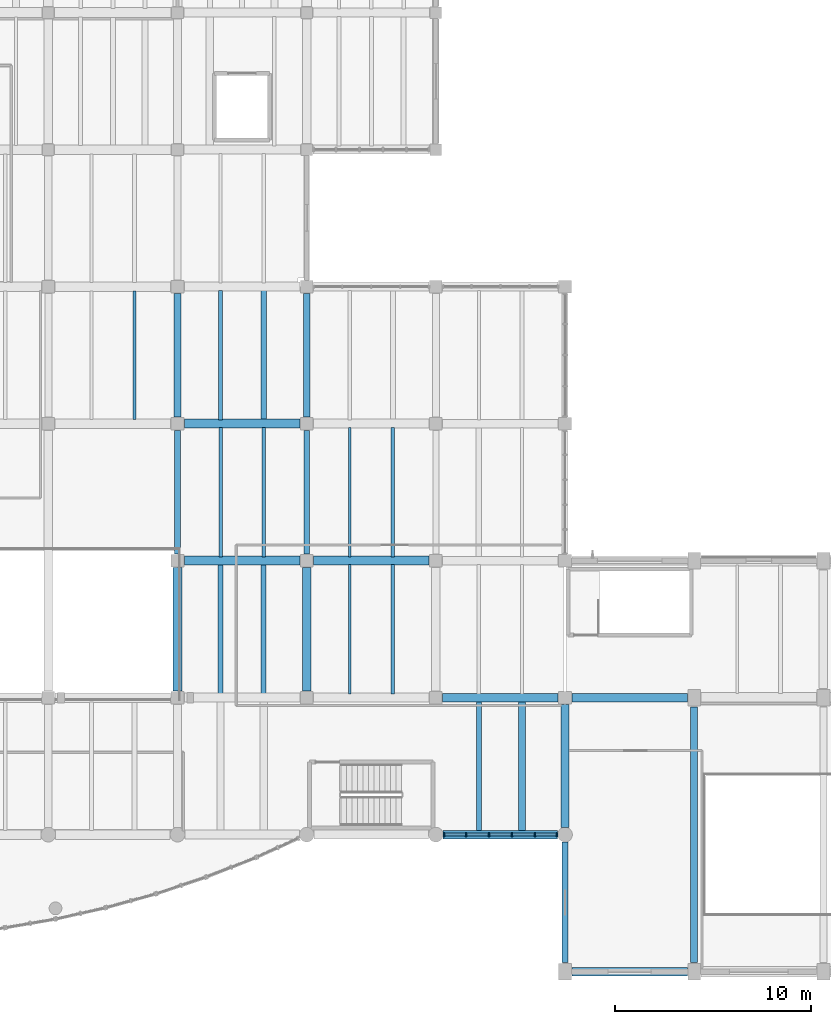
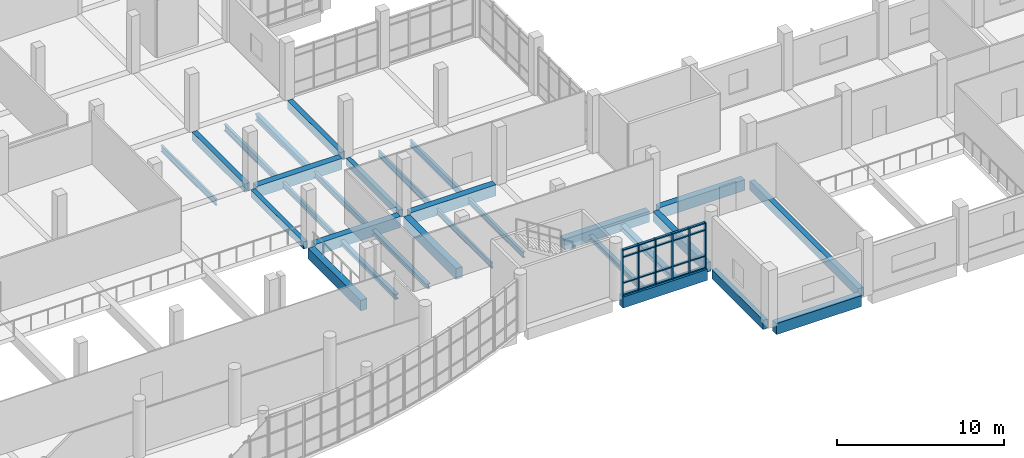
# One storey, part 15 of 68: 29 beams, 26 members, 1 element without a shape of its own.
"""IFC4 building model written with IfcOpenShell, lengths in metres."""

from ifc_helpers import new_model, si_unit, direction, frame, origin, origin_2d, place, context, subcontext, project, spatial, rectangle, i_section, extrude, material, material_profile, profile_set, type_object, element, aggregate, save


model = new_model("IFC4")

# Units and contexts
model_context = context("Model", 3, precision=1e-05, world=origin(), true_north=direction((0.0, 1.0)))
body_context = subcontext(model_context, "Body", "Model", "MODEL_VIEW")
ifc_project = project(units=[si_unit("LENGTHUNIT", "METRE"), si_unit("AREAUNIT", "SQUARE_METRE"), si_unit("VOLUMEUNIT", "CUBIC_METRE"), si_unit("PLANEANGLEUNIT", "RADIAN"), si_unit("MASSUNIT", "GRAM", prefix="KILO")], contexts=[model_context])

# Site, building, storey
site_placement = place(None, origin())
site = spatial("IfcSite", under=ifc_project, at=site_placement, CompositionType="ELEMENT")
building_placement = place(site_placement, origin())
building = spatial("IfcBuilding", under=site, at=building_placement, Name="Ciguamira Faculty of Natural Sciences", CompositionType="ELEMENT")
storey_placement = place(building_placement, frame((0.0, 0.0, 4.199951171875)))
storey = spatial("IfcBuildingStorey", under=building, at=storey_placement, Name="L01", CompositionType="ELEMENT", Elevation=4.199951171875)

# Curtain wall, members
ifc_material_1 = material(Name="Anodized aluminium curtain wall", Category="aluminium")
curtain_wall_type = type_object("IfcCurtainWallType", Name="CurtainWall_CW-03", PredefinedType="USERDEFINED", material=ifc_material_1)
curtain_wall_placement = place(storey_placement, origin())
curtain_wall = element("IfcCurtainWall", 1, at=curtain_wall_placement, inside=storey, type_object=curtain_wall_type, Name="L01 unitised curtain wall 0027", ObjectType="UNITISED CURTAIN WALL", PredefinedType="USERDEFINED")
ifc_material_2 = material(Name="Anodized aluminium mullion", Category="aluminium")
ifc_material_profile_1 = material_profile(ifc_material_2, rectangle(XDim=0.080078125, YDim=0.219970703125, at=origin_2d()), Name="ALU-MUL-80X220")
ifc_profile_set_1 = profile_set([ifc_material_profile_1], Name="Anodized aluminium mullion")
member_type_1 = type_object("IfcMemberType", Name="CWMullion_CWM-03", PredefinedType="MULLION", material=ifc_profile_set_1)
member_1_placement = place(storey_placement, frame((117.114990234375, 10.0, 0.0), z_axis=(0.0, 0.0, 1.0), x_axis=(1.0, 0.0, 0.0)))
member_1 = element("IfcMember", 2, at=member_1_placement, type_object=member_type_1, Name="CW-03 mullion 1", PredefinedType="MULLION", context=body_context, shape_type="SweptSolid", body=[
    extrude(rectangle(XDim=0.080078125, YDim=0.219970703125, at=origin_2d()), origin(), (0.0, 0.0, 1.0), 3.344970703125),
])
member_2_placement = place(storey_placement, frame((118.2451171875, 10.0, 0.0), z_axis=(0.0, 0.0, 1.0), x_axis=(1.0, 0.0, 0.0)))
member_2 = element("IfcMember", 3, at=member_2_placement, type_object=member_type_1, Name="CW-03 mullion 2", PredefinedType="MULLION", context=body_context, shape_type="SweptSolid", body=[
    extrude(rectangle(XDim=0.080078125, YDim=0.219970703125, at=origin_2d()), origin(), (0.0, 0.0, 1.0), 3.344970703125),
])
member_3_placement = place(storey_placement, frame((119.4150390625, 10.0, 0.0), z_axis=(0.0, 0.0, 1.0), x_axis=(1.0, 0.0, 0.0)))
member_3 = element("IfcMember", 4, at=member_3_placement, type_object=member_type_1, Name="CW-03 mullion 3", PredefinedType="MULLION", context=body_context, shape_type="SweptSolid", body=[
    extrude(rectangle(XDim=0.080078125, YDim=0.219970703125, at=origin_2d()), origin(), (0.0, 0.0, 1.0), 3.344970703125),
])
member_4_placement = place(storey_placement, frame((120.5849609375, 10.0, 0.0), z_axis=(0.0, 0.0, 1.0), x_axis=(1.0, 0.0, 0.0)))
member_4 = element("IfcMember", 5, at=member_4_placement, type_object=member_type_1, Name="CW-03 mullion 4", PredefinedType="MULLION", context=body_context, shape_type="SweptSolid", body=[
    extrude(rectangle(XDim=0.080078125, YDim=0.219970703125, at=origin_2d()), origin(), (0.0, 0.0, 1.0), 3.344970703125),
])
member_5_placement = place(storey_placement, frame((121.7548828125, 10.0, 0.0), z_axis=(0.0, 0.0, 1.0), x_axis=(1.0, 0.0, 0.0)))
member_5 = element("IfcMember", 6, at=member_5_placement, type_object=member_type_1, Name="CW-03 mullion 5", PredefinedType="MULLION", context=body_context, shape_type="SweptSolid", body=[
    extrude(rectangle(XDim=0.080078125, YDim=0.219970703125, at=origin_2d()), origin(), (0.0, 0.0, 1.0), 3.344970703125),
])
member_6_placement = place(storey_placement, frame((122.885009765625, 10.0, 0.0), z_axis=(0.0, 0.0, 1.0), x_axis=(1.0, 0.0, 0.0)))
member_6 = element("IfcMember", 7, at=member_6_placement, type_object=member_type_1, Name="CW-03 mullion 6", PredefinedType="MULLION", context=body_context, shape_type="SweptSolid", body=[
    extrude(rectangle(XDim=0.080078125, YDim=0.219970703125, at=origin_2d()), origin(), (0.0, 0.0, 1.0), 3.344970703125),
])
ifc_material_3 = material(Name="Anodized aluminium transom", Category="aluminium")
ifc_material_profile_2 = material_profile(ifc_material_3, rectangle(XDim=0.080078125, YDim=0.159912109375, at=origin_2d()), Name="ALU-TRN-80X160")
ifc_profile_set_2 = profile_set([ifc_material_profile_2], Name="Anodized aluminium transom")
member_type_2 = type_object("IfcMemberType", Name="CWTransom_CWT-03", PredefinedType="USERDEFINED", material=ifc_profile_set_2)
member_7_placement = place(storey_placement, frame((117.155029296875, 10.0, 0.0400390625), z_axis=(1.0, 0.0, 0.0), x_axis=(0.0, 0.0, 1.0)))
member_7 = element("IfcMember", 8, at=member_7_placement, type_object=member_type_2, Name="CW-03 transom 1.1", ObjectType="TRANSOM", PredefinedType="USERDEFINED", context=body_context, shape_type="SweptSolid", body=[
    extrude(rectangle(XDim=0.080078125, YDim=0.159912109375, at=origin_2d()), origin(), (0.0, 0.0, 1.0), 1.050048828125),
])
member_8_placement = place(storey_placement, frame((117.155029296875, 10.0, 0.900146484375), z_axis=(1.0, 0.0, 0.0), x_axis=(0.0, 0.0, 1.0)))
member_8 = element("IfcMember", 9, at=member_8_placement, type_object=member_type_2, Name="CW-03 transom 1.2", ObjectType="TRANSOM", PredefinedType="USERDEFINED", context=body_context, shape_type="SweptSolid", body=[
    extrude(rectangle(XDim=0.080078125, YDim=0.159912109375, at=origin_2d()), origin(), (0.0, 0.0, 1.0), 1.050048828125),
])
member_9_placement = place(storey_placement, frame((117.155029296875, 10.0, 2.795166015625), z_axis=(1.0, 0.0, 0.0), x_axis=(0.0, 0.0, 1.0)))
member_9 = element("IfcMember", 10, at=member_9_placement, type_object=member_type_2, Name="CW-03 transom 1.3", ObjectType="TRANSOM", PredefinedType="USERDEFINED", context=body_context, shape_type="SweptSolid", body=[
    extrude(rectangle(XDim=0.080078125, YDim=0.159912109375, at=origin_2d()), origin(), (0.0, 0.0, 1.0), 1.050048828125),
])
member_10_placement = place(storey_placement, frame((117.155029296875, 10.0, 3.304931640625), z_axis=(1.0, 0.0, 0.0), x_axis=(0.0, 0.0, 1.0)))
member_10 = element("IfcMember", 11, at=member_10_placement, type_object=member_type_2, Name="CW-03 transom 1.4", ObjectType="TRANSOM", PredefinedType="USERDEFINED", context=body_context, shape_type="SweptSolid", body=[
    extrude(rectangle(XDim=0.080078125, YDim=0.159912109375, at=origin_2d()), origin(), (0.0, 0.0, 1.0), 1.050048828125),
])
member_11_placement = place(storey_placement, frame((118.284912109375, 10.0, 0.0400390625), z_axis=(1.0, 0.0, 0.0), x_axis=(0.0, 0.0, 1.0)))
member_11 = element("IfcMember", 12, at=member_11_placement, type_object=member_type_2, Name="CW-03 transom 2.1", ObjectType="TRANSOM", PredefinedType="USERDEFINED", context=body_context, shape_type="SweptSolid", body=[
    extrude(rectangle(XDim=0.080078125, YDim=0.159912109375, at=origin_2d()), origin(), (0.0, 0.0, 1.0), 1.090087890625),
])
member_12_placement = place(storey_placement, frame((118.284912109375, 10.0, 0.900146484375), z_axis=(1.0, 0.0, 0.0), x_axis=(0.0, 0.0, 1.0)))
member_12 = element("IfcMember", 13, at=member_12_placement, type_object=member_type_2, Name="CW-03 transom 2.2", ObjectType="TRANSOM", PredefinedType="USERDEFINED", context=body_context, shape_type="SweptSolid", body=[
    extrude(rectangle(XDim=0.080078125, YDim=0.159912109375, at=origin_2d()), origin(), (0.0, 0.0, 1.0), 1.090087890625),
])
member_13_placement = place(storey_placement, frame((118.284912109375, 10.0, 2.795166015625), z_axis=(1.0, 0.0, 0.0), x_axis=(0.0, 0.0, 1.0)))
member_13 = element("IfcMember", 14, at=member_13_placement, type_object=member_type_2, Name="CW-03 transom 2.3", ObjectType="TRANSOM", PredefinedType="USERDEFINED", context=body_context, shape_type="SweptSolid", body=[
    extrude(rectangle(XDim=0.080078125, YDim=0.159912109375, at=origin_2d()), origin(), (0.0, 0.0, 1.0), 1.090087890625),
])
member_14_placement = place(storey_placement, frame((118.284912109375, 10.0, 3.304931640625), z_axis=(1.0, 0.0, 0.0), x_axis=(0.0, 0.0, 1.0)))
member_14 = element("IfcMember", 15, at=member_14_placement, type_object=member_type_2, Name="CW-03 transom 2.4", ObjectType="TRANSOM", PredefinedType="USERDEFINED", context=body_context, shape_type="SweptSolid", body=[
    extrude(rectangle(XDim=0.080078125, YDim=0.159912109375, at=origin_2d()), origin(), (0.0, 0.0, 1.0), 1.090087890625),
])
member_15_placement = place(storey_placement, frame((119.455078125, 10.0, 0.0400390625), z_axis=(1.0, 0.0, 0.0), x_axis=(0.0, 0.0, 1.0)))
member_15 = element("IfcMember", 16, at=member_15_placement, type_object=member_type_2, Name="CW-03 transom 3.1", ObjectType="TRANSOM", PredefinedType="USERDEFINED", context=body_context, shape_type="SweptSolid", body=[
    extrude(rectangle(XDim=0.080078125, YDim=0.159912109375, at=origin_2d()), origin(), (0.0, 0.0, 1.0), 1.08984375),
])
member_16_placement = place(storey_placement, frame((119.455078125, 10.0, 0.900146484375), z_axis=(1.0, 0.0, 0.0), x_axis=(0.0, 0.0, 1.0)))
member_16 = element("IfcMember", 17, at=member_16_placement, type_object=member_type_2, Name="CW-03 transom 3.2", ObjectType="TRANSOM", PredefinedType="USERDEFINED", context=body_context, shape_type="SweptSolid", body=[
    extrude(rectangle(XDim=0.080078125, YDim=0.159912109375, at=origin_2d()), origin(), (0.0, 0.0, 1.0), 1.08984375),
])
member_17_placement = place(storey_placement, frame((119.455078125, 10.0, 2.795166015625), z_axis=(1.0, 0.0, 0.0), x_axis=(0.0, 0.0, 1.0)))
member_17 = element("IfcMember", 18, at=member_17_placement, type_object=member_type_2, Name="CW-03 transom 3.3", ObjectType="TRANSOM", PredefinedType="USERDEFINED", context=body_context, shape_type="SweptSolid", body=[
    extrude(rectangle(XDim=0.080078125, YDim=0.159912109375, at=origin_2d()), origin(), (0.0, 0.0, 1.0), 1.08984375),
])
member_18_placement = place(storey_placement, frame((119.455078125, 10.0, 3.304931640625), z_axis=(1.0, 0.0, 0.0), x_axis=(0.0, 0.0, 1.0)))
member_18 = element("IfcMember", 19, at=member_18_placement, type_object=member_type_2, Name="CW-03 transom 3.4", ObjectType="TRANSOM", PredefinedType="USERDEFINED", context=body_context, shape_type="SweptSolid", body=[
    extrude(rectangle(XDim=0.080078125, YDim=0.159912109375, at=origin_2d()), origin(), (0.0, 0.0, 1.0), 1.08984375),
])
member_19_placement = place(storey_placement, frame((120.625, 10.0, 0.0400390625), z_axis=(1.0, 0.0, 0.0), x_axis=(0.0, 0.0, 1.0)))
member_19 = element("IfcMember", 20, at=member_19_placement, type_object=member_type_2, Name="CW-03 transom 4.1", ObjectType="TRANSOM", PredefinedType="USERDEFINED", context=body_context, shape_type="SweptSolid", body=[
    extrude(rectangle(XDim=0.080078125, YDim=0.159912109375, at=origin_2d()), origin(), (0.0, 0.0, 1.0), 1.090087890625),
])
member_20_placement = place(storey_placement, frame((120.625, 10.0, 0.900146484375), z_axis=(1.0, 0.0, 0.0), x_axis=(0.0, 0.0, 1.0)))
member_20 = element("IfcMember", 21, at=member_20_placement, type_object=member_type_2, Name="CW-03 transom 4.2", ObjectType="TRANSOM", PredefinedType="USERDEFINED", context=body_context, shape_type="SweptSolid", body=[
    extrude(rectangle(XDim=0.080078125, YDim=0.159912109375, at=origin_2d()), origin(), (0.0, 0.0, 1.0), 1.090087890625),
])
member_21_placement = place(storey_placement, frame((120.625, 10.0, 2.795166015625), z_axis=(1.0, 0.0, 0.0), x_axis=(0.0, 0.0, 1.0)))
member_21 = element("IfcMember", 22, at=member_21_placement, type_object=member_type_2, Name="CW-03 transom 4.3", ObjectType="TRANSOM", PredefinedType="USERDEFINED", context=body_context, shape_type="SweptSolid", body=[
    extrude(rectangle(XDim=0.080078125, YDim=0.159912109375, at=origin_2d()), origin(), (0.0, 0.0, 1.0), 1.090087890625),
])
member_22_placement = place(storey_placement, frame((120.625, 10.0, 3.304931640625), z_axis=(1.0, 0.0, 0.0), x_axis=(0.0, 0.0, 1.0)))
member_22 = element("IfcMember", 23, at=member_22_placement, type_object=member_type_2, Name="CW-03 transom 4.4", ObjectType="TRANSOM", PredefinedType="USERDEFINED", context=body_context, shape_type="SweptSolid", body=[
    extrude(rectangle(XDim=0.080078125, YDim=0.159912109375, at=origin_2d()), origin(), (0.0, 0.0, 1.0), 1.090087890625),
])
member_23_placement = place(storey_placement, frame((121.794921875, 10.0, 0.0400390625), z_axis=(1.0, 0.0, 0.0), x_axis=(0.0, 0.0, 1.0)))
member_23 = element("IfcMember", 24, at=member_23_placement, type_object=member_type_2, Name="CW-03 transom 5.1", ObjectType="TRANSOM", PredefinedType="USERDEFINED", context=body_context, shape_type="SweptSolid", body=[
    extrude(rectangle(XDim=0.080078125, YDim=0.159912109375, at=origin_2d()), origin(), (0.0, 0.0, 1.0), 1.050048828125),
])
member_24_placement = place(storey_placement, frame((121.794921875, 10.0, 0.900146484375), z_axis=(1.0, 0.0, 0.0), x_axis=(0.0, 0.0, 1.0)))
member_24 = element("IfcMember", 25, at=member_24_placement, type_object=member_type_2, Name="CW-03 transom 5.2", ObjectType="TRANSOM", PredefinedType="USERDEFINED", context=body_context, shape_type="SweptSolid", body=[
    extrude(rectangle(XDim=0.080078125, YDim=0.159912109375, at=origin_2d()), origin(), (0.0, 0.0, 1.0), 1.050048828125),
])
member_25_placement = place(storey_placement, frame((121.794921875, 10.0, 2.795166015625), z_axis=(1.0, 0.0, 0.0), x_axis=(0.0, 0.0, 1.0)))
member_25 = element("IfcMember", 26, at=member_25_placement, type_object=member_type_2, Name="CW-03 transom 5.3", ObjectType="TRANSOM", PredefinedType="USERDEFINED", context=body_context, shape_type="SweptSolid", body=[
    extrude(rectangle(XDim=0.080078125, YDim=0.159912109375, at=origin_2d()), origin(), (0.0, 0.0, 1.0), 1.050048828125),
])
member_26_placement = place(storey_placement, frame((121.794921875, 10.0, 3.304931640625), z_axis=(1.0, 0.0, 0.0), x_axis=(0.0, 0.0, 1.0)))
member_26 = element("IfcMember", 27, at=member_26_placement, type_object=member_type_2, Name="CW-03 transom 5.4", ObjectType="TRANSOM", PredefinedType="USERDEFINED", context=body_context, shape_type="SweptSolid", body=[
    extrude(rectangle(XDim=0.080078125, YDim=0.159912109375, at=origin_2d()), origin(), (0.0, 0.0, 1.0), 1.050048828125),
])
aggregate(curtain_wall, [member_1, member_2, member_3, member_4, member_5, member_6, member_7, member_8, member_9, member_10, member_11, member_12, member_13, member_14, member_15, member_16, member_17, member_18, member_19, member_20, member_21, member_22, member_23, member_24, member_25, member_26])

# Beams
ifc_material_4 = material(Name="Concrete C40/50", Category="concrete")
ifc_material_profile_3 = material_profile(ifc_material_4, rectangle(XDim=0.4599609375, YDim=0.820068359375, at=origin_2d()), Name="RC-BM-460X820")
ifc_profile_set_3 = profile_set([ifc_material_profile_3], Name="Concrete C40/50")
beam_type_1 = type_object("IfcBeamType", Name="RCBeam_BG-04_RC-BM-460X820", PredefinedType="BEAM", material=ifc_profile_set_3)
beam_1_placement = place(storey_placement, frame((103.85009765625, 24.0, -0.409912109375), z_axis=(1.0, 0.0, 0.0), x_axis=(0.0, 1.0, 0.0)))
element("IfcBeam", 28, at=beam_1_placement, inside=storey, type_object=beam_type_1, Name="L01 RC girder EW-0425", PredefinedType="BEAM", context=body_context, shape_type="SweptSolid", body=[
    extrude(rectangle(XDim=0.4599609375, YDim=0.820068359375, at=origin_2d()), origin(), (0.0, 0.0, 1.0), 5.89990234375),
])
beam_2_placement = place(storey_placement, frame((110.449951171875, 24.0, -0.409912109375), z_axis=(1.0, 0.0, 0.0), x_axis=(0.0, 1.0, 0.0)))
element("IfcBeam", 29, at=beam_2_placement, inside=storey, type_object=beam_type_1, Name="L01 RC girder EW-0426", PredefinedType="BEAM", context=body_context, shape_type="SweptSolid", body=[
    extrude(rectangle(XDim=0.4599609375, YDim=0.820068359375, at=origin_2d()), origin(), (0.0, 0.0, 1.0), 5.900146484375),
])
beam_3_placement = place(storey_placement, frame((103.85009765625, 31.0, -0.409912109375), z_axis=(1.0, 0.0, 0.0), x_axis=(0.0, 1.0, 0.0)))
element("IfcBeam", 30, at=beam_3_placement, inside=storey, type_object=beam_type_1, Name="L01 RC girder EW-0443", PredefinedType="BEAM", context=body_context, shape_type="SweptSolid", body=[
    extrude(rectangle(XDim=0.4599609375, YDim=0.820068359375, at=origin_2d()), origin(), (0.0, 0.0, 1.0), 5.89990234375),
])
ifc_material_profile_4 = material_profile(ifc_material_4, rectangle(XDim=0.449951171875, YDim=0.800048828125, at=origin_2d()), Name="RC-BM-450X800")
ifc_profile_set_4 = profile_set([ifc_material_profile_4], Name="Concrete C40/50")
beam_type_2 = type_object("IfcBeamType", Name="RCBeam_BG-05_RC-BM-450X800", PredefinedType="BEAM", material=ifc_profile_set_4)
beam_4_placement = place(storey_placement, frame((123.64990234375, 3.0, -0.39990234375), z_axis=(1.0, 0.0, 0.0), x_axis=(0.0, 1.0, 0.0)))
element("IfcBeam", 31, at=beam_4_placement, inside=storey, type_object=beam_type_2, Name="L01 RC girder EW-0365", PredefinedType="BEAM", context=body_context, shape_type="SweptSolid", body=[
    extrude(rectangle(XDim=0.449951171875, YDim=0.800048828125, at=origin_2d()), origin(), (0.0, 0.0, 1.0), 5.900146484375),
])
beam_5_placement = place(storey_placement, frame((117.074951171875, 10.0, -0.39990234375), z_axis=(1.0, 0.0, 0.0), x_axis=(0.0, 1.0, 0.0)))
element("IfcBeam", 32, at=beam_5_placement, inside=storey, type_object=beam_type_2, Name="L01 RC girder EW-0389", PredefinedType="BEAM", context=body_context, shape_type="SweptSolid", body=[
    extrude(rectangle(XDim=0.449951171875, YDim=0.800048828125, at=origin_2d()), origin(), (0.0, 0.0, 1.0), 5.85009765625),
])
beam_6_placement = place(storey_placement, frame((117.050048828125, 17.0, -0.39990234375), z_axis=(1.0, 0.0, 0.0), x_axis=(0.0, 1.0, 0.0)))
element("IfcBeam", 33, at=beam_6_placement, inside=storey, type_object=beam_type_2, Name="L01 RC girder EW-0407", PredefinedType="BEAM", context=body_context, shape_type="SweptSolid", body=[
    extrude(rectangle(XDim=0.449951171875, YDim=0.800048828125, at=origin_2d()), origin(), (0.0, 0.0, 1.0), 5.89990234375),
])
beam_7_placement = place(storey_placement, frame((123.64990234375, 17.0, -0.39990234375), z_axis=(1.0, 0.0, 0.0), x_axis=(0.0, 1.0, 0.0)))
element("IfcBeam", 34, at=beam_7_placement, inside=storey, type_object=beam_type_2, Name="L01 RC girder EW-0408", PredefinedType="BEAM", context=body_context, shape_type="SweptSolid", body=[
    extrude(rectangle(XDim=0.449951171875, YDim=0.800048828125, at=origin_2d()), origin(), (0.0, 0.0, 1.0), 5.900146484375),
])
ifc_material_profile_5 = material_profile(ifc_material_4, rectangle(XDim=0.43994140625, YDim=0.780029296875, at=origin_2d()), Name="RC-BM-440X780")
ifc_profile_set_5 = profile_set([ifc_material_profile_5], Name="Concrete C40/50")
beam_type_3 = type_object("IfcBeamType", Name="RCBeam_BG-06_RC-BM-440X780", PredefinedType="BEAM", material=ifc_profile_set_5)
for number, where, z_axis, x_axis, name in (
    (35, (103.5, 17.35009765625, -0.389892578125), (0.0, 1.0, 0.0), (-1.0, 0.0, 0.0), "L01 girder NS-0654"),
    (36, (110.10009765625, 17.35009765625, -0.389892578125), (0.0, 1.0, 0.0), (-1.0, 0.0, 0.0), "L01 girder NS-0664"),
):
    element("IfcBeam", number, at=place(storey_placement, frame(where, z_axis=z_axis, x_axis=x_axis)), inside=storey, type_object=beam_type_3, Name=name, PredefinedType="BEAM", context=body_context, shape_type="SweptSolid", body=[
        extrude(rectangle(XDim=0.43994140625, YDim=0.780029296875, at=origin_2d()), origin(), (0.0, 0.0, 1.0), 6.2998046875),
    ])
ifc_material_profile_6 = material_profile(ifc_material_4, rectangle(XDim=0.39990234375, YDim=0.699951171875, at=origin_2d()), Name="RC-BM-400X700")
ifc_profile_set_6 = profile_set([ifc_material_profile_6], Name="Concrete C40/50")
beam_type_4 = type_object("IfcBeamType", Name="RCBeam_BG-08_RC-BM-400X700", PredefinedType="BEAM", material=ifc_profile_set_6)
beam_8_placement = place(storey_placement, frame((123.300048828125, 10.375, -0.349853515625), z_axis=(0.0, 1.0, 0.0), x_axis=(-1.0, 0.0, 0.0)))
element("IfcBeam", 37, at=beam_8_placement, inside=storey, type_object=beam_type_4, Name="L01 girder NS-0690", PredefinedType="BEAM", context=body_context, shape_type="SweptSolid", body=[
    extrude(rectangle(XDim=0.39990234375, YDim=0.699951171875, at=origin_2d()), origin(), (0.0, 0.0, 1.0), 6.27490234375),
])
ifc_material_profile_7 = material_profile(ifc_material_4, rectangle(XDim=0.360107421875, YDim=0.639892578125, at=origin_2d()), Name="RC-BM-360X640")
ifc_profile_set_7 = profile_set([ifc_material_profile_7], Name="Concrete C40/50")
beam_type_5 = type_object("IfcBeamType", Name="RCBeam_BG-10_RC-BM-360X640", PredefinedType="BEAM", material=ifc_profile_set_7)
beam_9_placement = place(storey_placement, frame((129.89990234375, 3.47509765625, -0.320068359375), z_axis=(0.0, 1.0, 0.0), x_axis=(-1.0, 0.0, 0.0)))
element("IfcBeam", 38, at=beam_9_placement, inside=storey, type_object=beam_type_5, Name="L01 girder NS-0693", PredefinedType="BEAM", context=body_context, shape_type="SweptSolid", body=[
    extrude(rectangle(XDim=0.360107421875, YDim=0.639892578125, at=origin_2d()), origin(), (0.0, 0.0, 1.0), 13.0498046875),
])
ifc_material_profile_8 = material_profile(ifc_material_4, rectangle(XDim=0.35009765625, YDim=0.60009765625, at=origin_2d()), Name="RC-BM-350X600")
ifc_profile_set_8 = profile_set([ifc_material_profile_8], Name="Concrete C40/50")
beam_type_6 = type_object("IfcBeamType", Name="RCBeam_BG-11_RC-BM-350X600", PredefinedType="BEAM", material=ifc_profile_set_8)
for number, where, z_axis, x_axis, name in (
    (39, (103.5, 31.35009765625, -0.300048828125), (0.0, 1.0, 0.0), (-1.0, 0.0, 0.0), "L01 girder NS-0656"),
    (40, (110.10009765625, 31.35009765625, -0.300048828125), (0.0, 1.0, 0.0), (-1.0, 0.0, 0.0), "L01 girder NS-0666"),
):
    element("IfcBeam", number, at=place(storey_placement, frame(where, z_axis=z_axis, x_axis=x_axis)), inside=storey, type_object=beam_type_6, Name=name, PredefinedType="BEAM", context=body_context, shape_type="SweptSolid", body=[
        extrude(rectangle(XDim=0.35009765625, YDim=0.60009765625, at=origin_2d()), origin(), (0.0, 0.0, 1.0), 6.2998046875),
    ])
ifc_material_profile_9 = material_profile(ifc_material_4, rectangle(XDim=0.300048828125, YDim=0.52001953125, at=origin_2d()), Name="RC-BM-300X520")
ifc_profile_set_9 = profile_set([ifc_material_profile_9], Name="Concrete C40/50")
beam_type_7 = type_object("IfcBeamType", Name="RCBeam_BG-13_RC-BM-300X520", PredefinedType="BEAM", material=ifc_profile_set_9)
for number, where, z_axis, x_axis, name in (
    (41, (103.5, 24.35009765625, -0.260009765625), (0.0, 1.0, 0.0), (-1.0, 0.0, 0.0), "L01 girder NS-0655"),
    (42, (110.10009765625, 24.35009765625, -0.260009765625), (0.0, 1.0, 0.0), (-1.0, 0.0, 0.0), "L01 girder NS-0665"),
):
    element("IfcBeam", number, at=place(storey_placement, frame(where, z_axis=z_axis, x_axis=x_axis)), inside=storey, type_object=beam_type_7, Name=name, PredefinedType="BEAM", context=body_context, shape_type="SweptSolid", body=[
        extrude(rectangle(XDim=0.300048828125, YDim=0.52001953125, at=origin_2d()), origin(), (0.0, 0.0, 1.0), 6.2998046875),
    ])
ifc_material_5 = material(Name="Precast concrete C40/50", Category="concrete")
ifc_material_profile_10 = material_profile(ifc_material_5, rectangle(XDim=0.320068359375, YDim=0.679931640625, at=origin_2d()), Name="RC-SP-320X680")
ifc_profile_set_10 = profile_set([ifc_material_profile_10], Name="Precast concrete C40/50")
beam_type_8 = type_object("IfcBeamType", Name="RCBeam_SP-02_RC-SP-320X680", PredefinedType="SPANDREL", material=ifc_profile_set_10)
beam_10_placement = place(storey_placement, frame((123.300048828125, 3.47509765625, -0.33984375), z_axis=(0.0, 1.0, 0.0), x_axis=(-1.0, 0.0, 0.0)))
element("IfcBeam", 43, at=beam_10_placement, inside=storey, type_object=beam_type_8, Name="L01 girder NS-0689", PredefinedType="SPANDREL", context=body_context, shape_type="SweptSolid", body=[
    extrude(rectangle(XDim=0.320068359375, YDim=0.679931640625, at=origin_2d()), origin(), (0.0, 0.0, 1.0), 6.14990234375),
])
ifc_material_6 = material(Name="Steel ASTM A992 Grade 50", Category="steel")
ifc_material_profile_11 = material_profile(ifc_material_6, i_section(OverallWidth=0.25390625, OverallDepth=0.355712890625, WebThickness=0.010498046875, FlangeThickness=0.018310546875, at=origin_2d()), Name="W14X68")
ifc_profile_set_11 = profile_set([ifc_material_profile_11], Name="Steel ASTM A992 Grade 50")
beam_type_9 = type_object("IfcBeamType", Name="SteelJoist_SJ-14_W14X68", PredefinedType="JOIST", material=ifc_profile_set_11)
beam_11_placement = place(storey_placement, frame((105.699951171875, 17.18994140625, -0.477783203125), z_axis=(0.0, 1.0, 0.0), x_axis=(-1.0, 0.0, 0.0)))
element("IfcBeam", 44, at=beam_11_placement, inside=storey, type_object=beam_type_9, Name="L01 composite steel joist 00572", PredefinedType="JOIST", context=body_context, shape_type="SweptSolid", body=[
    extrude(i_section(OverallWidth=0.25390625, OverallDepth=0.355712890625, WebThickness=0.010498046875, FlangeThickness=0.018310546875, at=origin_2d()), origin(), (0.0, 0.0, 1.0), 6.6201171875),
])
ifc_material_profile_12 = material_profile(ifc_material_6, i_section(OverallWidth=0.256591796875, OverallDepth=0.36328125, WebThickness=0.012939453125, FlangeThickness=0.021728515625, at=origin_2d()), Name="W14X82")
ifc_profile_set_12 = profile_set([ifc_material_profile_12], Name="Steel ASTM A992 Grade 50")
beam_type_10 = type_object("IfcBeamType", Name="SteelJoist_SJ-15_W14X82", PredefinedType="JOIST", material=ifc_profile_set_12)
beam_12_placement = place(storey_placement, frame((107.89990234375, 17.18994140625, -0.4814453125), z_axis=(0.0, 1.0, 0.0), x_axis=(-1.0, 0.0, 0.0)))
element("IfcBeam", 45, at=beam_12_placement, inside=storey, type_object=beam_type_10, Name="L01 composite steel joist 00573", PredefinedType="JOIST", context=body_context, shape_type="SweptSolid", body=[
    extrude(i_section(OverallWidth=0.256591796875, OverallDepth=0.36328125, WebThickness=0.012939453125, FlangeThickness=0.021728515625, at=origin_2d()), origin(), (0.0, 0.0, 1.0), 6.6201171875),
])
beam_13_placement = place(storey_placement, frame((118.89990234375, 10.18505859375, -0.4814453125), z_axis=(0.0, 1.0, 0.0), x_axis=(-1.0, 0.0, 0.0)))
element("IfcBeam", 46, at=beam_13_placement, inside=storey, type_object=beam_type_10, Name="L01 composite steel joist 00627", PredefinedType="JOIST", context=body_context, shape_type="SweptSolid", body=[
    extrude(i_section(OverallWidth=0.256591796875, OverallDepth=0.36328125, WebThickness=0.012939453125, FlangeThickness=0.021728515625, at=origin_2d()), origin(), (0.0, 0.0, 1.0), 6.6298828125),
])
ifc_material_profile_13 = material_profile(ifc_material_6, i_section(OverallWidth=0.368408203125, OverallDepth=0.355712890625, WebThickness=0.01123046875, FlangeThickness=0.01806640625, at=origin_2d()), Name="W14X90")
ifc_profile_set_13 = profile_set([ifc_material_profile_13], Name="Steel ASTM A992 Grade 50")
beam_type_11 = type_object("IfcBeamType", Name="SteelJoist_SJ-16_W14X90", PredefinedType="JOIST", material=ifc_profile_set_13)
beam_14_placement = place(storey_placement, frame((121.10009765625, 10.18505859375, -0.477783203125), z_axis=(0.0, 1.0, 0.0), x_axis=(-1.0, 0.0, 0.0)))
element("IfcBeam", 47, at=beam_14_placement, inside=storey, type_object=beam_type_11, Name="L01 composite steel joist 00628", PredefinedType="JOIST", context=body_context, shape_type="SweptSolid", body=[
    extrude(i_section(OverallWidth=0.368408203125, OverallDepth=0.355712890625, WebThickness=0.01123046875, FlangeThickness=0.01806640625, at=origin_2d()), origin(), (0.0, 0.0, 1.0), 6.6298828125),
])
ifc_material_profile_14 = material_profile(ifc_material_6, i_section(OverallWidth=0.140380859375, OverallDepth=0.40380859375, WebThickness=0.007080078125, FlangeThickness=0.01123046875, at=origin_2d()), Name="W16X31")
ifc_profile_set_14 = profile_set([ifc_material_profile_14], Name="Steel ASTM A992 Grade 50")
beam_type_12 = type_object("IfcBeamType", Name="SteelJoist_SJ-17_W16X31", PredefinedType="JOIST", material=ifc_profile_set_14)
beam_15_placement = place(storey_placement, frame((112.300048828125, 17.18994140625, -0.501953125), z_axis=(0.0, 1.0, 0.0), x_axis=(-1.0, 0.0, 0.0)))
element("IfcBeam", 48, at=beam_15_placement, inside=storey, type_object=beam_type_12, Name="L01 composite steel joist 00597", PredefinedType="JOIST", context=body_context, shape_type="SweptSolid", body=[
    extrude(i_section(OverallWidth=0.140380859375, OverallDepth=0.40380859375, WebThickness=0.007080078125, FlangeThickness=0.01123046875, at=origin_2d()), origin(), (0.0, 0.0, 1.0), 6.6201171875),
])
ifc_material_profile_15 = material_profile(ifc_material_6, i_section(OverallWidth=0.177490234375, OverallDepth=0.40380859375, WebThickness=0.007568359375, FlangeThickness=0.010986328125, at=origin_2d()), Name="W16X36")
ifc_profile_set_15 = profile_set([ifc_material_profile_15], Name="Steel ASTM A992 Grade 50")
beam_type_13 = type_object("IfcBeamType", Name="SteelJoist_SJ-18_W16X36", PredefinedType="JOIST", material=ifc_profile_set_15)
beam_16_placement = place(storey_placement, frame((114.5, 17.18994140625, -0.501953125), z_axis=(0.0, 1.0, 0.0), x_axis=(-1.0, 0.0, 0.0)))
element("IfcBeam", 49, at=beam_16_placement, inside=storey, type_object=beam_type_13, Name="L01 composite steel joist 00598", PredefinedType="JOIST", context=body_context, shape_type="SweptSolid", body=[
    extrude(i_section(OverallWidth=0.177490234375, OverallDepth=0.40380859375, WebThickness=0.007568359375, FlangeThickness=0.010986328125, at=origin_2d()), origin(), (0.0, 0.0, 1.0), 6.6201171875),
])
ifc_material_profile_16 = material_profile(ifc_material_6, i_section(OverallWidth=0.1787109375, OverallDepth=0.408935546875, WebThickness=0.0087890625, FlangeThickness=0.014404296875, at=origin_2d()), Name="W16X45")
ifc_profile_set_16 = profile_set([ifc_material_profile_16], Name="Steel ASTM A992 Grade 50")
beam_type_14 = type_object("IfcBeamType", Name="SteelJoist_SJ-19_W16X45", PredefinedType="JOIST", material=ifc_profile_set_16)
beam_17_placement = place(storey_placement, frame((105.699951171875, 24.18994140625, -0.50439453125), z_axis=(0.0, 1.0, 0.0), x_axis=(-1.0, 0.0, 0.0)))
element("IfcBeam", 50, at=beam_17_placement, inside=storey, type_object=beam_type_14, Name="L01 composite steel joist 00574", PredefinedType="JOIST", context=body_context, shape_type="SweptSolid", body=[
    extrude(i_section(OverallWidth=0.1787109375, OverallDepth=0.408935546875, WebThickness=0.0087890625, FlangeThickness=0.014404296875, at=origin_2d()), origin(), (0.0, 0.0, 1.0), 6.6201171875),
])
ifc_material_profile_17 = material_profile(ifc_material_6, i_section(OverallWidth=0.180908203125, OverallDepth=0.41650390625, WebThickness=0.010986328125, FlangeThickness=0.01806640625, at=origin_2d()), Name="W16X57")
ifc_profile_set_17 = profile_set([ifc_material_profile_17], Name="Steel ASTM A992 Grade 50")
beam_type_15 = type_object("IfcBeamType", Name="SteelJoist_SJ-20_W16X57", PredefinedType="JOIST", material=ifc_profile_set_17)
beam_18_placement = place(storey_placement, frame((107.89990234375, 24.18994140625, -0.50830078125), z_axis=(0.0, 1.0, 0.0), x_axis=(-1.0, 0.0, 0.0)))
element("IfcBeam", 51, at=beam_18_placement, inside=storey, type_object=beam_type_15, Name="L01 composite steel joist 00575", PredefinedType="JOIST", context=body_context, shape_type="SweptSolid", body=[
    extrude(i_section(OverallWidth=0.180908203125, OverallDepth=0.41650390625, WebThickness=0.010986328125, FlangeThickness=0.01806640625, at=origin_2d()), origin(), (0.0, 0.0, 1.0), 6.6201171875),
])
ifc_material_profile_18 = material_profile(ifc_material_6, i_section(OverallWidth=0.15283203125, OverallDepth=0.45458984375, WebThickness=0.008056640625, FlangeThickness=0.013427734375, at=origin_2d()), Name="W18X40")
ifc_profile_set_18 = profile_set([ifc_material_profile_18], Name="Steel ASTM A992 Grade 50")
beam_type_16 = type_object("IfcBeamType", Name="SteelJoist_SJ-22_W18X40", PredefinedType="JOIST", material=ifc_profile_set_18)
beam_19_placement = place(storey_placement, frame((101.300048828125, 31.2099609375, -0.52734375), z_axis=(0.0, 1.0, 0.0), x_axis=(-1.0, 0.0, 0.0)))
element("IfcBeam", 52, at=beam_19_placement, inside=storey, type_object=beam_type_16, Name="L01 composite steel joist 00548", PredefinedType="JOIST", context=body_context, shape_type="SweptSolid", body=[
    extrude(i_section(OverallWidth=0.15283203125, OverallDepth=0.45458984375, WebThickness=0.008056640625, FlangeThickness=0.013427734375, at=origin_2d()), origin(), (0.0, 0.0, 1.0), 6.580078125),
])
beam_20_placement = place(storey_placement, frame((112.300048828125, 24.18994140625, -0.52734375), z_axis=(0.0, 1.0, 0.0), x_axis=(-1.0, 0.0, 0.0)))
element("IfcBeam", 53, at=beam_20_placement, inside=storey, type_object=beam_type_16, Name="L01 composite steel joist 00599", PredefinedType="JOIST", context=body_context, shape_type="SweptSolid", body=[
    extrude(i_section(OverallWidth=0.15283203125, OverallDepth=0.45458984375, WebThickness=0.008056640625, FlangeThickness=0.013427734375, at=origin_2d()), origin(), (0.0, 0.0, 1.0), 6.6201171875),
])
ifc_material_profile_19 = material_profile(ifc_material_6, i_section(OverallWidth=0.1904296875, OverallDepth=0.457275390625, WebThickness=0.009033203125, FlangeThickness=0.014404296875, at=origin_2d()), Name="W18X50")
ifc_profile_set_19 = profile_set([ifc_material_profile_19], Name="Steel ASTM A992 Grade 50")
beam_type_17 = type_object("IfcBeamType", Name="SteelJoist_SJ-23_W18X50", PredefinedType="JOIST", material=ifc_profile_set_19)
beam_21_placement = place(storey_placement, frame((114.5, 24.18994140625, -0.528564453125), z_axis=(0.0, 1.0, 0.0), x_axis=(-1.0, 0.0, 0.0)))
element("IfcBeam", 54, at=beam_21_placement, inside=storey, type_object=beam_type_17, Name="L01 composite steel joist 00600", PredefinedType="JOIST", context=body_context, shape_type="SweptSolid", body=[
    extrude(i_section(OverallWidth=0.1904296875, OverallDepth=0.457275390625, WebThickness=0.009033203125, FlangeThickness=0.014404296875, at=origin_2d()), origin(), (0.0, 0.0, 1.0), 6.6201171875),
])
ifc_material_profile_20 = material_profile(ifc_material_6, i_section(OverallWidth=0.19287109375, OverallDepth=0.46728515625, WebThickness=0.011474609375, FlangeThickness=0.01904296875, at=origin_2d()), Name="W18X65")
ifc_profile_set_20 = profile_set([ifc_material_profile_20], Name="Steel ASTM A992 Grade 50")
beam_type_18 = type_object("IfcBeamType", Name="SteelJoist_SJ-24_W18X65", PredefinedType="JOIST", material=ifc_profile_set_20)
beam_22_placement = place(storey_placement, frame((105.699951171875, 31.18994140625, -0.53369140625), z_axis=(0.0, 1.0, 0.0), x_axis=(-1.0, 0.0, 0.0)))
element("IfcBeam", 55, at=beam_22_placement, inside=storey, type_object=beam_type_18, Name="L01 composite steel joist 00576", PredefinedType="JOIST", context=body_context, shape_type="SweptSolid", body=[
    extrude(i_section(OverallWidth=0.19287109375, OverallDepth=0.46728515625, WebThickness=0.011474609375, FlangeThickness=0.01904296875, at=origin_2d()), origin(), (0.0, 0.0, 1.0), 6.6201171875),
])
ifc_material_profile_21 = material_profile(ifc_material_6, i_section(OverallWidth=0.279296875, OverallDepth=0.462158203125, WebThickness=0.0107421875, FlangeThickness=0.017333984375, at=origin_2d()), Name="W18X76")
ifc_profile_set_21 = profile_set([ifc_material_profile_21], Name="Steel ASTM A992 Grade 50")
beam_type_19 = type_object("IfcBeamType", Name="SteelJoist_SJ-25_W18X76", PredefinedType="JOIST", material=ifc_profile_set_21)
beam_23_placement = place(storey_placement, frame((107.89990234375, 31.18994140625, -0.531005859375), z_axis=(0.0, 1.0, 0.0), x_axis=(-1.0, 0.0, 0.0)))
element("IfcBeam", 56, at=beam_23_placement, inside=storey, type_object=beam_type_19, Name="L01 composite steel joist 00577", PredefinedType="JOIST", context=body_context, shape_type="SweptSolid", body=[
    extrude(i_section(OverallWidth=0.279296875, OverallDepth=0.462158203125, WebThickness=0.0107421875, FlangeThickness=0.017333984375, at=origin_2d()), origin(), (0.0, 0.0, 1.0), 6.6201171875),
])

save(model, "model.ifc")
